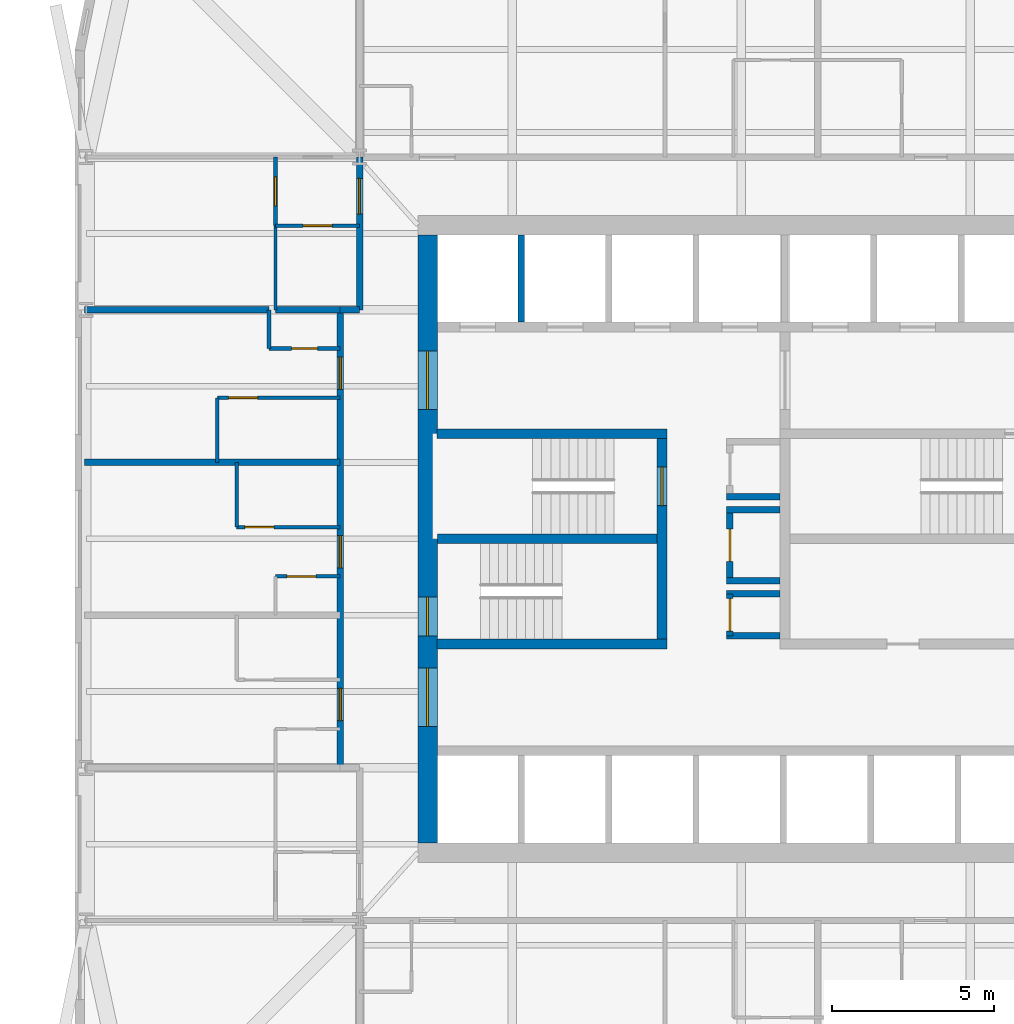
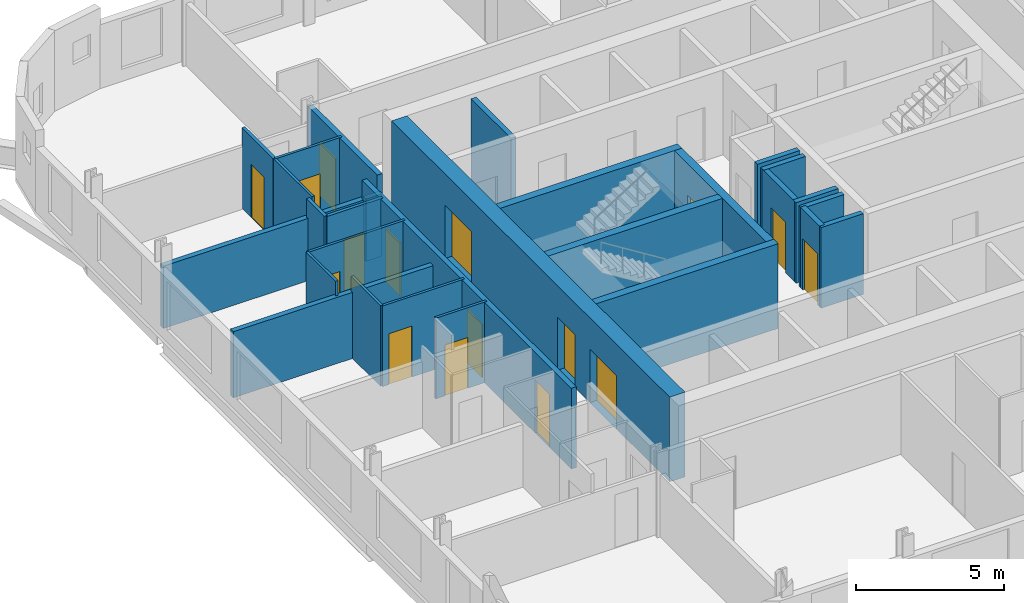
# One storey, part 4 of 9: 29 walls, 16 doors, 16 openings.
"""IFC4 building model written with IfcOpenShell, lengths in metres."""

from ifc_helpers import new_model, si_unit, direction, frame, frame_2d, origin, place, context, subcontext, project, spatial, rectangle, extrude, material, layer, layer_set, type_object, element, fill, save


model = new_model("IFC4")

# Units and contexts
model_context = context("Model", 3, precision=1e-05, world=origin(), true_north=direction((0.0, 1.0)))
body_context = subcontext(model_context, "Body", "Model", "MODEL_VIEW")
ifc_project = project(units=[si_unit("LENGTHUNIT", "METRE"), si_unit("AREAUNIT", "SQUARE_METRE"), si_unit("VOLUMEUNIT", "CUBIC_METRE"), si_unit("PLANEANGLEUNIT", "RADIAN"), si_unit("MASSUNIT", "GRAM", prefix="KILO")], contexts=[model_context])

# Site, building, storey
site_placement = place(None, origin())
site = spatial("IfcSite", under=ifc_project, at=site_placement, CompositionType="ELEMENT")
building_placement = place(site_placement, origin())
building = spatial("IfcBuilding", under=site, at=building_placement, Name="Turquesa Mirador Hotel Tower", CompositionType="ELEMENT")
storey_placement = place(building_placement, frame((0.0, 0.0, 149.39990234375)))
storey = spatial("IfcBuildingStorey", under=building, at=storey_placement, Name="L40", CompositionType="ELEMENT", Elevation=149.39990234375)

# Wall, opening, door
ifc_material_1 = material(Name="Gypsum board on steel studs", Category="steel")
ifc_layer_1 = layer(ifc_material_1, 0.10009765625)
ifc_layer_set_1 = layer_set([ifc_layer_1], Name="BATHROOM WALL 100")
wall_type_1 = type_object("IfcWallType", Name="BATHROOM WALL 100", PredefinedType="PARTITIONING", material=ifc_layer_set_1)
wall_1_placement = place(storey_placement, frame((40.60009765625, 43.840087890625, 0.0), z_axis=(0.0, 0.0, 1.0), x_axis=(1.0, 0.0, 0.0)))
wall_1 = element("IfcWall", 1, at=wall_1_placement, inside=storey, type_object=wall_type_1, Name="Partition L40 002", PredefinedType="PARTITIONING", context=body_context, shape_type="SweptSolid", body=[
    extrude(rectangle(XDim=2.0, YDim=0.10009765625, at=frame_2d((1.0, 0.0))), origin(), (0.0, 0.0, 1.0), 3.330078125),
])
opening_1_placement = place(wall_1_placement, frame((0.35009765625, 0.0, 0.0)))
opening_1 = element("IfcOpeningElement", 2, at=opening_1_placement, cuts=wall_1, Name="Opening D06", PredefinedType="OPENING", context=body_context, shape_type="SweptSolid", body=[
    extrude(rectangle(XDim=0.89990234375, YDim=2.10009765625, at=frame_2d((0.449951171875, 1.050048828125))), frame((0.0, 0.06005859375, 0.0), z_axis=(0.0, -1.0, 0.0), x_axis=(1.0, 0.0, 0.0)), (0.0, 0.0, 1.0), 0.1201171875),
])
ifc_material_2 = material(Name="Laminate door", Category="wood")
door_type_1 = type_object("IfcDoorType", Name="DOOR 900X2100 WC", OperationType="SINGLE_SWING_LEFT", PredefinedType="DOOR", material=ifc_material_2)
door_1_placement = place(opening_1_placement, origin())
door_1 = element("IfcDoor", 3, at=door_1_placement, inside=storey, type_object=door_type_1, Name="Door 4009W", OperationType="SINGLE_SWING_LEFT", OverallHeight=2.10009765625, OverallWidth=0.89990234375, PredefinedType="DOOR", context=body_context, shape_type="SweptSolid", body=[
    extrude(rectangle(XDim=0.89990234375, YDim=2.10009765625, at=frame_2d((0.449951171875, 1.050048828125))), frame((0.0, 0.02490234375, 0.0), z_axis=(0.0, -1.0, 0.0), x_axis=(1.0, 0.0, 0.0)), (0.0, 0.0, 1.0), 0.050048828125),
])
fill(opening_1, door_1)

wall_2_placement = place(storey_placement, frame((39.39990234375, 45.360107421875, 0.0), z_axis=(0.0, 0.0, 1.0), x_axis=(1.0, 0.0, 0.0)))
wall_2 = element("IfcWall", 4, at=wall_2_placement, inside=storey, type_object=wall_type_1, Name="Partition L40 019", PredefinedType="PARTITIONING", context=body_context, shape_type="SweptSolid", body=[
    extrude(rectangle(XDim=3.2001953125, YDim=0.10009765625, at=frame_2d((1.60009765625, 0.0))), origin(), (0.0, 0.0, 1.0), 3.330078125),
])
opening_2_placement = place(wall_2_placement, frame((0.25, 0.0, 0.0)))
opening_2 = element("IfcOpeningElement", 5, at=opening_2_placement, cuts=wall_2, Name="Opening D02", PredefinedType="OPENING", context=body_context, shape_type="SweptSolid", body=[
    extrude(rectangle(XDim=0.89990234375, YDim=2.10009765625, at=frame_2d((0.449951171875, 1.050048828125))), frame((0.0, 0.06005859375, 0.0), z_axis=(0.0, -1.0, 0.0), x_axis=(1.0, 0.0, 0.0)), (0.0, 0.0, 1.0), 0.1201171875),
])
ifc_material_3 = material(Name="Timber veneered door", Category="wood")
door_type_2 = type_object("IfcDoorType", Name="DOOR 900X2100 EN-SUITE", OperationType="SINGLE_SWING_RIGHT", PredefinedType="DOOR", material=ifc_material_3)
door_2_placement = place(opening_2_placement, origin())
door_2 = element("IfcDoor", 6, at=door_2_placement, inside=storey, type_object=door_type_2, Name="Door 4009B", OperationType="SINGLE_SWING_RIGHT", OverallHeight=2.10009765625, OverallWidth=0.89990234375, PredefinedType="DOOR", context=body_context, shape_type="SweptSolid", body=[
    extrude(rectangle(XDim=0.89990234375, YDim=2.10009765625, at=frame_2d((0.449951171875, 1.050048828125))), frame((0.0, 0.02490234375, 0.0), z_axis=(0.0, -1.0, 0.0), x_axis=(1.0, 0.0, 0.0)), (0.0, 0.0, 1.0), 0.050048828125),
])
fill(opening_2, door_2)

wall_3_placement = place(storey_placement, frame((38.800048828125, 49.360107421875, 0.0), z_axis=(0.0, 0.0, 1.0), x_axis=(1.0, 0.0, 0.0)))
wall_3 = element("IfcWall", 7, at=wall_3_placement, inside=storey, type_object=wall_type_1, Name="Partition L40 029", PredefinedType="PARTITIONING", context=body_context, shape_type="SweptSolid", body=[
    extrude(rectangle(XDim=3.800048828125, YDim=0.10009765625, at=frame_2d((1.89990234375, 0.0))), origin(), (0.0, 0.0, 1.0), 3.330078125),
])
opening_3_placement = place(wall_3_placement, frame((0.35009765625, 0.0, 0.0)))
opening_3 = element("IfcOpeningElement", 8, at=opening_3_placement, cuts=wall_3, Name="Opening D02", PredefinedType="OPENING", context=body_context, shape_type="SweptSolid", body=[
    extrude(rectangle(XDim=0.89990234375, YDim=2.10009765625, at=frame_2d((0.449951171875, 1.050048828125))), frame((0.0, 0.06005859375, 0.0), z_axis=(0.0, -1.0, 0.0), x_axis=(1.0, 0.0, 0.0)), (0.0, 0.0, 1.0), 0.1201171875),
])
door_3_placement = place(opening_3_placement, origin())
door_3 = element("IfcDoor", 9, at=door_3_placement, inside=storey, type_object=door_type_2, Name="Door 4010B", OperationType="SINGLE_SWING_RIGHT", OverallHeight=2.10009765625, OverallWidth=0.89990234375, PredefinedType="DOOR", context=body_context, shape_type="SweptSolid", body=[
    extrude(rectangle(XDim=0.89990234375, YDim=2.10009765625, at=frame_2d((0.449951171875, 1.050048828125))), frame((0.0, 0.02490234375, 0.0), z_axis=(0.0, -1.0, 0.0), x_axis=(1.0, 0.0, 0.0)), (0.0, 0.0, 1.0), 0.050048828125),
])
fill(opening_3, door_3)

wall_4_placement = place(storey_placement, frame((40.60009765625, 54.679931640625, 0.0), z_axis=(0.0, 0.0, 1.0), x_axis=(1.0, 0.0, 0.0)))
wall_4 = element("IfcWall", 10, at=wall_4_placement, inside=storey, type_object=wall_type_1, Name="Partition L40 037", PredefinedType="PARTITIONING", context=body_context, shape_type="SweptSolid", body=[
    extrude(rectangle(XDim=2.599853515625, YDim=0.10009765625, at=frame_2d((1.2998046875, 0.0))), origin(), (0.0, 0.0, 1.0), 3.330078125),
])
opening_4_placement = place(wall_4_placement, frame((0.85009765625, 0.0, 0.0)))
opening_4 = element("IfcOpeningElement", 11, at=opening_4_placement, cuts=wall_4, Name="Opening D02", PredefinedType="OPENING", context=body_context, shape_type="SweptSolid", body=[
    extrude(rectangle(XDim=0.89990234375, YDim=2.10009765625, at=frame_2d((0.449951171875, 1.050048828125))), frame((0.0, 0.06005859375, 0.0), z_axis=(0.0, -1.0, 0.0), x_axis=(1.0, 0.0, 0.0)), (0.0, 0.0, 1.0), 0.1201171875),
])
door_4_placement = place(opening_4_placement, origin())
door_4 = element("IfcDoor", 12, at=door_4_placement, inside=storey, type_object=door_type_2, Name="Door 4012B", OperationType="SINGLE_SWING_RIGHT", OverallHeight=2.10009765625, OverallWidth=0.89990234375, PredefinedType="DOOR", context=body_context, shape_type="SweptSolid", body=[
    extrude(rectangle(XDim=0.89990234375, YDim=2.10009765625, at=frame_2d((0.449951171875, 1.050048828125))), frame((0.0, 0.02490234375, 0.0), z_axis=(0.0, -1.0, 0.0), x_axis=(1.0, 0.0, 0.0)), (0.0, 0.0, 1.0), 0.050048828125),
])
fill(opening_4, door_4)

# Walls
wall_5_placement = place(storey_placement, frame((40.60009765625, 52.080078125, 0.0), z_axis=(0.0, 0.0, 1.0), x_axis=(0.0, 1.0, 0.0)))
element("IfcWall", 13, at=wall_5_placement, inside=storey, type_object=wall_type_1, Name="Partition L40 050", PredefinedType="PARTITIONING", context=body_context, shape_type="SweptSolid", body=[
    extrude(rectangle(XDim=2.599853515625, YDim=0.10009765625, at=frame_2d((1.2998046875, 0.0))), origin(), (0.0, 0.0, 1.0), 3.330078125),
])
for number, where, z_axis, x_axis, name in (
    (14, (39.39990234375, 45.360107421875, 0.0), (0.0, 0.0, 1.0), (0.0, 1.0, 0.0), "Partition L40 055"),
    (15, (38.800048828125, 47.360107421875, 0.0), (0.0, 0.0, 1.0), (0.0, 1.0, 0.0), "Partition L40 056"),
):
    element("IfcWall", number, at=place(storey_placement, frame(where, z_axis=z_axis, x_axis=x_axis)), inside=storey, type_object=wall_type_1, Name=name, PredefinedType="PARTITIONING", context=body_context, shape_type="SweptSolid", body=[
        extrude(rectangle(XDim=2.0, YDim=0.10009765625, at=frame_2d((1.0, 0.0))), origin(), (0.0, 0.0, 1.0), 3.330078125),
    ])
ifc_material_4 = material(Name="Concrete C50/60", Category="concrete")
ifc_layer_2 = layer(ifc_material_4, 0.300048828125)
ifc_layer_set_2 = layer_set([ifc_layer_2], Name="CORE INNER WALL 300")
wall_type_2 = type_object("IfcWallType", Name="CORE INNER WALL 300", PredefinedType="SHEAR", material=ifc_layer_set_2)
for number, where, z_axis, x_axis, name in (
    (16, (45.60009765625, 48.25, 0.0), (0.0, 0.0, 1.0), (1.0, 0.0, 0.0), "Core wall MN-W"),
    (17, (45.60009765625, 41.75, 0.0), (0.0, 0.0, 1.0), (1.0, 0.0, 0.0), "Core wall MS-W"),
):
    element("IfcWall", number, at=place(storey_placement, frame(where, z_axis=z_axis, x_axis=x_axis)), inside=storey, type_object=wall_type_2, Name=name, PredefinedType="SHEAR", context=body_context, shape_type="SweptSolid", body=[
        extrude(rectangle(XDim=7.099853515625, YDim=0.300048828125, at=frame_2d((3.5498046875, 0.0))), origin(), (0.0, 0.0, 1.0), 3.5),
    ])

# Wall, opening, door
wall_6_placement = place(storey_placement, frame((52.550048828125, 41.89990234375, 0.0), z_axis=(0.0, 0.0, 1.0), x_axis=(0.0, 1.0, 0.0)))
wall_6 = element("IfcWall", 18, at=wall_6_placement, inside=storey, type_object=wall_type_2, Name="Core wall PW", PredefinedType="SHEAR", context=body_context, shape_type="SweptSolid", body=[
    extrude(rectangle(XDim=6.2001953125, YDim=0.300048828125, at=frame_2d((3.10009765625, 0.0))), origin(), (0.0, 0.0, 1.0), 3.5),
])
opening_5_placement = place(wall_6_placement, frame((4.125, 0.0, 0.0)))
opening_5 = element("IfcOpeningElement", 19, at=opening_5_placement, cuts=wall_6, Name="Opening D03", PredefinedType="OPENING", context=body_context, shape_type="SweptSolid", body=[
    extrude(rectangle(XDim=1.199951171875, YDim=2.199951171875, at=frame_2d((0.60009765625, 1.10009765625))), frame((0.0, 0.159912109375, 0.0), z_axis=(0.0, -1.0, 0.0), x_axis=(1.0, 0.0, 0.0)), (0.0, 0.0, 1.0), 0.320068359375),
])
ifc_material_5 = material(Name="Steel fire door", Category="steel")
door_type_3 = type_object("IfcDoorType", Name="DOOR 1200X2200 STAIR", OperationType="SINGLE_SWING_LEFT", PredefinedType="DOOR", material=ifc_material_5)
door_5_placement = place(opening_5_placement, origin())
door_5 = element("IfcDoor", 20, at=door_5_placement, inside=storey, type_object=door_type_3, Name="Stair ST1 door", OperationType="SINGLE_SWING_LEFT", OverallHeight=2.199951171875, OverallWidth=1.199951171875, PredefinedType="DOOR", context=body_context, shape_type="SweptSolid", body=[
    extrude(rectangle(XDim=1.199951171875, YDim=2.199951171875, at=frame_2d((0.60009765625, 1.10009765625))), frame((0.0, 0.02490234375, 0.0), z_axis=(0.0, -1.0, 0.0), x_axis=(1.0, 0.0, 0.0)), (0.0, 0.0, 1.0), 0.050048828125),
])
fill(opening_5, door_5)

# Wall
wall_7_placement = place(storey_placement, frame((45.60009765625, 45.0, 0.0), z_axis=(0.0, 0.0, 1.0), x_axis=(1.0, 0.0, 0.0)))
element("IfcWall", 21, at=wall_7_placement, inside=storey, type_object=wall_type_2, Name="Core wall M0-W", PredefinedType="SHEAR", context=body_context, shape_type="SweptSolid", body=[
    extrude(rectangle(XDim=6.7998046875, YDim=0.300048828125, at=frame_2d((3.39990234375, 0.0))), origin(), (0.0, 0.0, 1.0), 3.5),
])

# Wall, openings, doors
ifc_material_6 = material(Name="Concrete C50/60", Category="concrete")
ifc_layer_3 = layer(ifc_material_6, 0.60009765625)
ifc_layer_set_3 = layer_set([ifc_layer_3], Name="CORE WALL 600")
wall_type_3 = type_object("IfcWallType", Name="CORE WALL 600", PredefinedType="SHEAR", material=ifc_layer_set_3)
wall_8_placement = place(storey_placement, frame((45.300048828125, 35.60009765625, 0.0), z_axis=(0.0, 0.0, 1.0), x_axis=(0.0, 1.0, 0.0)))
wall_8 = element("IfcWall", 22, at=wall_8_placement, inside=storey, type_object=wall_type_3, Name="Core wall W", PredefinedType="SHEAR", context=body_context, shape_type="SweptSolid", body=[
    extrude(rectangle(XDim=18.7998046875, YDim=0.60009765625, at=frame_2d((9.39990234375, 0.0))), origin(), (0.0, 0.0, 1.0), 3.5),
])
opening_6_placement = place(wall_8_placement, frame((13.39990234375, 0.0, 0.0)))
opening_6 = element("IfcOpeningElement", 23, at=opening_6_placement, cuts=wall_8, Name="Opening D04", PredefinedType="OPENING", context=body_context, shape_type="SweptSolid", body=[
    extrude(rectangle(XDim=1.800048828125, YDim=2.199951171875, at=frame_2d((0.89990234375, 1.10009765625))), frame((0.0, 0.31005859375, 0.0), z_axis=(0.0, -1.0, 0.0), x_axis=(1.0, 0.0, 0.0)), (0.0, 0.0, 1.0), 0.6201171875),
])
opening_7_placement = place(wall_8_placement, frame((3.60009765625, 0.0, 0.0)))
opening_7 = element("IfcOpeningElement", 24, at=opening_7_placement, cuts=wall_8, Name="Opening D04", PredefinedType="OPENING", context=body_context, shape_type="SweptSolid", body=[
    extrude(rectangle(XDim=1.800048828125, YDim=2.199951171875, at=frame_2d((0.89990234375, 1.10009765625))), frame((0.0, 0.31005859375, 0.0), z_axis=(0.0, -1.0, 0.0), x_axis=(1.0, 0.0, 0.0)), (0.0, 0.0, 1.0), 0.6201171875),
])
opening_8_placement = place(wall_8_placement, frame((6.39990234375, 0.0, 0.0)))
opening_8 = element("IfcOpeningElement", 25, at=opening_8_placement, cuts=wall_8, Name="Opening D03", PredefinedType="OPENING", context=body_context, shape_type="SweptSolid", body=[
    extrude(rectangle(XDim=1.199951171875, YDim=2.199951171875, at=frame_2d((0.60009765625, 1.10009765625))), frame((0.0, 0.31005859375, 0.0), z_axis=(0.0, -1.0, 0.0), x_axis=(1.0, 0.0, 0.0)), (0.0, 0.0, 1.0), 0.6201171875),
])
door_6_placement = place(opening_8_placement, origin())
door_6 = element("IfcDoor", 26, at=door_6_placement, inside=storey, type_object=door_type_3, Name="Stair ST2 door", OperationType="SINGLE_SWING_LEFT", OverallHeight=2.199951171875, OverallWidth=1.199951171875, PredefinedType="DOOR", context=body_context, shape_type="SweptSolid", body=[
    extrude(rectangle(XDim=1.199951171875, YDim=2.199951171875, at=frame_2d((0.60009765625, 1.10009765625))), frame((0.0, 0.02490234375, 0.0), z_axis=(0.0, -1.0, 0.0), x_axis=(1.0, 0.0, 0.0)), (0.0, 0.0, 1.0), 0.050048828125),
])
fill(opening_8, door_6)
ifc_material_7 = material(Name="Steel fire door pair", Category="steel")
door_type_4 = type_object("IfcDoorType", Name="DOOR 1800X2200 PAIR", OperationType="DOUBLE_DOOR_SINGLE_SWING", PredefinedType="DOOR", material=ifc_material_7)
door_7_placement = place(opening_6_placement, origin())
door_7 = element("IfcDoor", 27, at=door_7_placement, inside=storey, type_object=door_type_4, Name="North lift lobby door", OperationType="DOUBLE_DOOR_SINGLE_SWING", OverallHeight=2.199951171875, OverallWidth=1.800048828125, PredefinedType="DOOR", context=body_context, shape_type="SweptSolid", body=[
    extrude(rectangle(XDim=1.800048828125, YDim=2.199951171875, at=frame_2d((0.89990234375, 1.10009765625))), frame((0.0, 0.02490234375, 0.0), z_axis=(0.0, -1.0, 0.0), x_axis=(1.0, 0.0, 0.0)), (0.0, 0.0, 1.0), 0.050048828125),
])
fill(opening_6, door_7)
door_8_placement = place(opening_7_placement, origin())
door_8 = element("IfcDoor", 28, at=door_8_placement, inside=storey, type_object=door_type_4, Name="South lift lobby door", OperationType="DOUBLE_DOOR_SINGLE_SWING", OverallHeight=2.199951171875, OverallWidth=1.800048828125, PredefinedType="DOOR", context=body_context, shape_type="SweptSolid", body=[
    extrude(rectangle(XDim=1.800048828125, YDim=2.199951171875, at=frame_2d((0.89990234375, 1.10009765625))), frame((0.0, 0.02490234375, 0.0), z_axis=(0.0, -1.0, 0.0), x_axis=(1.0, 0.0, 0.0)), (0.0, 0.0, 1.0), 0.050048828125),
])
fill(opening_7, door_8)

# Wall
ifc_material_8 = material(Name="Fire-rated gypsum board on steel studs", Category="steel")
ifc_layer_4 = layer(ifc_material_8, 0.199951171875)
ifc_layer_set_4 = layer_set([ifc_layer_4], Name="CORRIDOR WALL 200")
wall_type_4 = type_object("IfcWallType", Name="CORRIDOR WALL 200", PredefinedType="PARTITIONING", material=ifc_layer_set_4)
wall_9_placement = place(storey_placement, frame((42.60009765625, 52.080078125, 0.0), z_axis=(0.0, 0.0, 1.0), x_axis=(1.0, 0.0, 0.0)))
element("IfcWall", 29, at=wall_9_placement, inside=storey, type_object=wall_type_4, Name="Partition L40 032", PredefinedType="PARTITIONING", context=body_context, shape_type="SweptSolid", body=[
    extrude(rectangle(XDim=0.599853515625, YDim=0.199951171875, at=frame_2d((0.2998046875, 0.0))), origin(), (0.0, 0.0, 1.0), 2.5732421875),
])

# Wall, opening, door
wall_10_placement = place(storey_placement, frame((43.199951171875, 52.080078125, 0.0), z_axis=(0.0, 0.0, 1.0), x_axis=(0.0, 1.0, 0.0)))
wall_10 = element("IfcWall", 30, at=wall_10_placement, inside=storey, type_object=wall_type_4, Name="Partition L40 044", PredefinedType="PARTITIONING", context=body_context, shape_type="SweptSolid", body=[
    extrude(rectangle(XDim=4.719970703125, YDim=0.199951171875, at=frame_2d((2.35986328125, 0.0))), origin(), (0.0, 0.0, 1.0), 3.330078125),
])
opening_9_placement = place(wall_10_placement, frame((2.9599609375, 0.0, 0.0)))
opening_9 = element("IfcOpeningElement", 31, at=opening_9_placement, cuts=wall_10, Name="Opening D15", PredefinedType="OPENING", context=body_context, shape_type="SweptSolid", body=[
    extrude(rectangle(XDim=1.10009765625, YDim=2.199951171875, at=frame_2d((0.550048828125, 1.10009765625))), frame((0.0, 0.10986328125, 0.0), z_axis=(0.0, -1.0, 0.0), x_axis=(1.0, 0.0, 0.0)), (0.0, 0.0, 1.0), 0.219970703125),
])
ifc_material_9 = material(Name="Timber veneered fire door", Category="wood")
door_type_5 = type_object("IfcDoorType", Name="DOOR 1100X2200 SUITE ENTRY", OperationType="SINGLE_SWING_LEFT", PredefinedType="DOOR", material=ifc_material_9)
door_9_placement = place(opening_9_placement, origin())
door_9 = element("IfcDoor", 32, at=door_9_placement, inside=storey, type_object=door_type_5, Name="Door 4012H", OperationType="SINGLE_SWING_LEFT", OverallHeight=2.199951171875, OverallWidth=1.10009765625, PredefinedType="DOOR", context=body_context, shape_type="SweptSolid", body=[
    extrude(rectangle(XDim=1.10009765625, YDim=2.199951171875, at=frame_2d((0.550048828125, 1.10009765625))), frame((0.0, 0.02490234375, 0.0), z_axis=(0.0, -1.0, 0.0), x_axis=(1.0, 0.0, 0.0)), (0.0, 0.0, 1.0), 0.050048828125),
])
fill(opening_9, door_9)

# Wall, openings, doors
wall_11_placement = place(storey_placement, frame((42.60009765625, 37.919921875, 0.0), z_axis=(0.0, 0.0, 1.0), x_axis=(0.0, 1.0, 0.0)))
wall_11 = element("IfcWall", 33, at=wall_11_placement, inside=storey, type_object=wall_type_4, Name="Partition L40 047", PredefinedType="PARTITIONING", context=body_context, shape_type="SweptSolid", body=[
    extrude(rectangle(XDim=14.16015625, YDim=0.199951171875, at=frame_2d((7.080078125, 0.0))), origin(), (0.0, 0.0, 1.0), 3.330078125),
])
opening_10_placement = place(wall_11_placement, frame((1.4599609375, 0.0, 0.0)))
opening_10 = element("IfcOpeningElement", 34, at=opening_10_placement, cuts=wall_11, Name="Opening D01", PredefinedType="OPENING", context=body_context, shape_type="SweptSolid", body=[
    extrude(rectangle(XDim=1.0, YDim=2.199951171875, at=frame_2d((0.5, 1.10009765625))), frame((0.0, 0.10986328125, 0.0), z_axis=(0.0, -1.0, 0.0), x_axis=(1.0, 0.0, 0.0)), (0.0, 0.0, 1.0), 0.219970703125),
])
opening_11_placement = place(wall_11_placement, frame((6.179931640625, 0.0, 0.0)))
opening_11 = element("IfcOpeningElement", 35, at=opening_11_placement, cuts=wall_11, Name="Opening D01", PredefinedType="OPENING", context=body_context, shape_type="SweptSolid", body=[
    extrude(rectangle(XDim=1.0, YDim=2.199951171875, at=frame_2d((0.5, 1.10009765625))), frame((0.0, 0.10986328125, 0.0), z_axis=(0.0, -1.0, 0.0), x_axis=(1.0, 0.0, 0.0)), (0.0, 0.0, 1.0), 0.219970703125),
])
opening_12_placement = place(wall_11_placement, frame((11.699951171875, 0.0, 0.0)))
opening_12 = element("IfcOpeningElement", 36, at=opening_12_placement, cuts=wall_11, Name="Opening D01", PredefinedType="OPENING", context=body_context, shape_type="SweptSolid", body=[
    extrude(rectangle(XDim=1.0, YDim=2.199951171875, at=frame_2d((0.5, 1.10009765625))), frame((0.0, 0.10986328125, 0.0), z_axis=(0.0, -1.0, 0.0), x_axis=(1.0, 0.0, 0.0)), (0.0, 0.0, 1.0), 0.219970703125),
])
ifc_material_10 = material(Name="Timber veneered fire door", Category="wood")
door_type_6 = type_object("IfcDoorType", Name="DOOR 1000X2200 GUEST ENTRY", OperationType="SINGLE_SWING_LEFT", PredefinedType="DOOR", material=ifc_material_10)
door_10_placement = place(opening_10_placement, origin())
door_10 = element("IfcDoor", 37, at=door_10_placement, inside=storey, type_object=door_type_6, Name="Door 4008", OperationType="SINGLE_SWING_LEFT", OverallHeight=2.199951171875, OverallWidth=1.0, PredefinedType="DOOR", context=body_context, shape_type="SweptSolid", body=[
    extrude(rectangle(XDim=1.0, YDim=2.199951171875, at=frame_2d((0.5, 1.10009765625))), frame((0.0, 0.02490234375, 0.0), z_axis=(0.0, -1.0, 0.0), x_axis=(1.0, 0.0, 0.0)), (0.0, 0.0, 1.0), 0.050048828125),
])
fill(opening_10, door_10)
door_11_placement = place(opening_11_placement, origin())
door_11 = element("IfcDoor", 38, at=door_11_placement, inside=storey, type_object=door_type_6, Name="Door 4009", OperationType="SINGLE_SWING_LEFT", OverallHeight=2.199951171875, OverallWidth=1.0, PredefinedType="DOOR", context=body_context, shape_type="SweptSolid", body=[
    extrude(rectangle(XDim=1.0, YDim=2.199951171875, at=frame_2d((0.5, 1.10009765625))), frame((0.0, 0.02490234375, 0.0), z_axis=(0.0, -1.0, 0.0), x_axis=(1.0, 0.0, 0.0)), (0.0, 0.0, 1.0), 0.050048828125),
])
fill(opening_11, door_11)
door_12_placement = place(opening_12_placement, origin())
door_12 = element("IfcDoor", 39, at=door_12_placement, inside=storey, type_object=door_type_6, Name="Door 4010", OperationType="SINGLE_SWING_LEFT", OverallHeight=2.199951171875, OverallWidth=1.0, PredefinedType="DOOR", context=body_context, shape_type="SweptSolid", body=[
    extrude(rectangle(XDim=1.0, YDim=2.199951171875, at=frame_2d((0.5, 1.10009765625))), frame((0.0, 0.02490234375, 0.0), z_axis=(0.0, -1.0, 0.0), x_axis=(1.0, 0.0, 0.0)), (0.0, 0.0, 1.0), 0.050048828125),
])
fill(opening_12, door_12)

# Wall, opening, door
ifc_material_11 = material(Name="Fire-rated gypsum board on steel studs", Category="steel")
ifc_layer_5 = layer(ifc_material_11, 0.199951171875)
ifc_layer_set_5 = layer_set([ifc_layer_5], Name="FIRE PARTITION 200")
wall_type_5 = type_object("IfcWallType", Name="FIRE PARTITION 200", PredefinedType="PARTITIONING", material=ifc_layer_set_5)
wall_12_placement = place(storey_placement, frame((54.64990234375, 42.0, 0.0), z_axis=(0.0, 0.0, 1.0), x_axis=(0.0, 1.0, 0.0)))
wall_12 = element("IfcWall", 40, at=wall_12_placement, inside=storey, type_object=wall_type_5, Name="Partition L40 CM W", PredefinedType="PARTITIONING", context=body_context, shape_type="SweptSolid", body=[
    extrude(rectangle(XDim=1.300048828125, YDim=0.199951171875, at=frame_2d((0.64990234375, 0.0))), origin(), (0.0, 0.0, 1.0), 3.330078125),
])
opening_13_placement = place(wall_12_placement, frame((0.14990234375, 0.0, 0.0)))
opening_13 = element("IfcOpeningElement", 41, at=opening_13_placement, cuts=wall_12, Name="Opening D05", PredefinedType="OPENING", context=body_context, shape_type="SweptSolid", body=[
    extrude(rectangle(XDim=1.0, YDim=2.10009765625, at=frame_2d((0.5, 1.050048828125))), frame((0.0, 0.10986328125, 0.0), z_axis=(0.0, -1.0, 0.0), x_axis=(1.0, 0.0, 0.0)), (0.0, 0.0, 1.0), 0.219970703125),
])
ifc_material_12 = material(Name="Steel fire door", Category="steel")
door_type_7 = type_object("IfcDoorType", Name="DOOR 1000X2100 SERVICE", OperationType="SINGLE_SWING_LEFT", PredefinedType="DOOR", material=ifc_material_12)
door_13_placement = place(opening_13_placement, origin())
door_13 = element("IfcDoor", 42, at=door_13_placement, inside=storey, type_object=door_type_7, Name="Comms room door", OperationType="SINGLE_SWING_LEFT", OverallHeight=2.10009765625, OverallWidth=1.0, PredefinedType="DOOR", context=body_context, shape_type="SweptSolid", body=[
    extrude(rectangle(XDim=1.0, YDim=2.10009765625, at=frame_2d((0.5, 1.050048828125))), frame((0.0, 0.02490234375, 0.0), z_axis=(0.0, -1.0, 0.0), x_axis=(1.0, 0.0, 0.0)), (0.0, 0.0, 1.0), 0.050048828125),
])
fill(opening_13, door_13)

# Walls
for number, where, z_axis, x_axis, name in (
    (43, (54.550048828125, 42.0, 0.0), (0.0, 0.0, 1.0), (1.0, 0.0, 0.0), "Partition L40 CM S"),
    (44, (54.550048828125, 43.300048828125, 0.0), (0.0, 0.0, 1.0), (1.0, 0.0, 0.0), "Partition L40 CM N"),
):
    element("IfcWall", number, at=place(storey_placement, frame(where, z_axis=z_axis, x_axis=x_axis)), inside=storey, type_object=wall_type_5, Name=name, PredefinedType="PARTITIONING", context=body_context, shape_type="SweptSolid", body=[
        extrude(rectangle(XDim=1.64990234375, YDim=0.199951171875, at=frame_2d((0.824951171875, 0.0))), origin(), (0.0, 0.0, 1.0), 3.330078125),
    ])

# Wall, opening, door
wall_13_placement = place(storey_placement, frame((54.64990234375, 43.699951171875, 0.0), z_axis=(0.0, 0.0, 1.0), x_axis=(0.0, 1.0, 0.0)))
wall_13 = element("IfcWall", 45, at=wall_13_placement, inside=storey, type_object=wall_type_5, Name="Partition L40 VD W", PredefinedType="PARTITIONING", context=body_context, shape_type="SweptSolid", body=[
    extrude(rectangle(XDim=2.199951171875, YDim=0.199951171875, at=frame_2d((1.10009765625, 0.0))), origin(), (0.0, 0.0, 1.0), 3.330078125),
])
opening_14_placement = place(wall_13_placement, frame((0.60009765625, 0.0, 0.0)))
opening_14 = element("IfcOpeningElement", 46, at=opening_14_placement, cuts=wall_13, Name="Opening D05", PredefinedType="OPENING", context=body_context, shape_type="SweptSolid", body=[
    extrude(rectangle(XDim=1.0, YDim=2.10009765625, at=frame_2d((0.5, 1.050048828125))), frame((0.0, 0.10986328125, 0.0), z_axis=(0.0, -1.0, 0.0), x_axis=(1.0, 0.0, 0.0)), (0.0, 0.0, 1.0), 0.219970703125),
])
door_14_placement = place(opening_14_placement, origin())
door_14 = element("IfcDoor", 47, at=door_14_placement, inside=storey, type_object=door_type_7, Name="Ice and vending room door", OperationType="SINGLE_SWING_LEFT", OverallHeight=2.10009765625, OverallWidth=1.0, PredefinedType="DOOR", context=body_context, shape_type="SweptSolid", body=[
    extrude(rectangle(XDim=1.0, YDim=2.10009765625, at=frame_2d((0.5, 1.050048828125))), frame((0.0, 0.02490234375, 0.0), z_axis=(0.0, -1.0, 0.0), x_axis=(1.0, 0.0, 0.0)), (0.0, 0.0, 1.0), 0.050048828125),
])
fill(opening_14, door_14)

# Walls
for number, where, z_axis, x_axis, name in (
    (48, (54.550048828125, 43.699951171875, 0.0), (0.0, 0.0, 1.0), (1.0, 0.0, 0.0), "Partition L40 VD S"),
    (49, (54.550048828125, 45.89990234375, 0.0), (0.0, 0.0, 1.0), (1.0, 0.0, 0.0), "Partition L40 VD N"),
    (50, (54.550048828125, 46.300048828125, 0.0), (0.0, 0.0, 1.0), (1.0, 0.0, 0.0), "Partition L40 CL S"),
):
    element("IfcWall", number, at=place(storey_placement, frame(where, z_axis=z_axis, x_axis=x_axis)), inside=storey, type_object=wall_type_5, Name=name, PredefinedType="PARTITIONING", context=body_context, shape_type="SweptSolid", body=[
        extrude(rectangle(XDim=1.64990234375, YDim=0.199951171875, at=frame_2d((0.824951171875, 0.0))), origin(), (0.0, 0.0, 1.0), 3.330078125),
    ])
ifc_material_13 = material(Name="Fire-rated gypsum shaft wall on steel studs", Category="steel")
ifc_layer_6 = layer(ifc_material_13, 0.199951171875)
ifc_layer_set_6 = layer_set([ifc_layer_6], Name="LIFT SHAFT DIVIDER 200")
wall_type_6 = type_object("IfcWallType", Name="LIFT SHAFT DIVIDER 200", PredefinedType="PARTITIONING", material=ifc_layer_set_6)
wall_14_placement = place(storey_placement, frame((48.199951171875, 51.699951171875, 0.0), z_axis=(0.0, 0.0, 1.0), x_axis=(0.0, 1.0, 0.0)))
element("IfcWall", 51, at=wall_14_placement, inside=storey, type_object=wall_type_6, Name="Lift shaft divider", PredefinedType="PARTITIONING", context=body_context, shape_type="SweptSolid", body=[
    extrude(rectangle(XDim=2.699951171875, YDim=0.199951171875, at=frame_2d((1.35009765625, 0.0))), origin(), (0.0, 0.0, 1.0), 3.330078125),
])
ifc_material_14 = material(Name="Fire-rated gypsum board on steel studs", Category="steel")
ifc_layer_7 = layer(ifc_material_14, 0.199951171875)
ifc_layer_set_7 = layer_set([ifc_layer_7], Name="PARTY WALL 200")
wall_type_7 = type_object("IfcWallType", Name="PARTY WALL 200", PredefinedType="PARTITIONING", material=ifc_layer_set_7)
wall_15_placement = place(storey_placement, frame((34.699951171875, 47.360107421875, 0.0), z_axis=(0.0, 0.0, 1.0), x_axis=(1.0, 0.0, 0.0)))
element("IfcWall", 52, at=wall_15_placement, inside=storey, type_object=wall_type_7, Name="Partition L40 027", PredefinedType="PARTITIONING", context=body_context, shape_type="SweptSolid", body=[
    extrude(rectangle(XDim=7.900146484375, YDim=0.199951171875, at=frame_2d((3.9501953125, 0.0))), origin(), (0.0, 0.0, 1.0), 2.730712890625),
])
wall_16_placement = place(storey_placement, frame((34.699951171875, 52.080078125, 0.0), z_axis=(0.0, 0.0, 1.0), x_axis=(1.0, 0.0, 0.0)))
element("IfcWall", 53, at=wall_16_placement, inside=storey, type_object=wall_type_7, Name="Partition L40 033", PredefinedType="PARTITIONING", context=body_context, shape_type="SweptSolid", body=[
    extrude(rectangle(XDim=5.699951171875, YDim=0.199951171875, at=frame_2d((2.85009765625, 0.0))), origin(), (0.0, 0.0, 1.0), 2.5732421875),
])
wall_17_placement = place(storey_placement, frame((40.60009765625, 52.080078125, 0.0), z_axis=(0.0, 0.0, 1.0), x_axis=(1.0, 0.0, 0.0)))
element("IfcWall", 54, at=wall_17_placement, inside=storey, type_object=wall_type_7, Name="Partition L40 034", PredefinedType="PARTITIONING", context=body_context, shape_type="SweptSolid", body=[
    extrude(rectangle(XDim=2.0, YDim=0.199951171875, at=frame_2d((1.0, 0.0))), origin(), (0.0, 0.0, 1.0), 2.5732421875),
])

# Wall, opening, door
ifc_material_15 = material(Name="Acoustic gypsum board on steel studs", Category="steel")
ifc_layer_8 = layer(ifc_material_15, 0.125)
ifc_layer_set_8 = layer_set([ifc_layer_8], Name="SUITE PARTITION 125")
wall_type_8 = type_object("IfcWallType", Name="SUITE PARTITION 125", PredefinedType="PARTITIONING", material=ifc_layer_set_8)
wall_18_placement = place(storey_placement, frame((40.39990234375, 50.8798828125, 0.0), z_axis=(0.0, 0.0, 1.0), x_axis=(1.0, 0.0, 0.0)))
wall_18 = element("IfcWall", 55, at=wall_18_placement, inside=storey, type_object=wall_type_8, Name="Partition L40 031", PredefinedType="PARTITIONING", context=body_context, shape_type="SweptSolid", body=[
    extrude(rectangle(XDim=2.2001953125, YDim=0.125, at=frame_2d((1.10009765625, 0.0))), origin(), (0.0, 0.0, 1.0), 3.330078125),
])
opening_15_placement = place(wall_18_placement, frame((0.699951171875, 0.0, 0.0)))
opening_15 = element("IfcOpeningElement", 56, at=opening_15_placement, cuts=wall_18, Name="Opening D20", PredefinedType="OPENING", context=body_context, shape_type="SweptSolid", body=[
    extrude(rectangle(XDim=0.800048828125, YDim=2.10009765625, at=frame_2d((0.39990234375, 1.050048828125))), frame((0.0, 0.072509765625, 0.0), z_axis=(0.0, -1.0, 0.0), x_axis=(1.0, 0.0, 0.0)), (0.0, 0.0, 1.0), 0.14501953125),
])
ifc_material_16 = material(Name="Timber veneered sliding door", Category="wood")
door_type_8 = type_object("IfcDoorType", Name="DOOR 800X2100 WARDROBE", OperationType="SLIDING_TO_LEFT", PredefinedType="DOOR", material=ifc_material_16)
door_15_placement = place(opening_15_placement, origin())
door_15 = element("IfcDoor", 57, at=door_15_placement, inside=storey, type_object=door_type_8, Name="Door 4010W", OperationType="SLIDING_TO_LEFT", OverallHeight=2.10009765625, OverallWidth=0.800048828125, PredefinedType="DOOR", context=body_context, shape_type="SweptSolid", body=[
    extrude(rectangle(XDim=0.800048828125, YDim=2.10009765625, at=frame_2d((0.39990234375, 1.050048828125))), frame((0.0, 0.02490234375, 0.0), z_axis=(0.0, -1.0, 0.0), x_axis=(1.0, 0.0, 0.0)), (0.0, 0.0, 1.0), 0.050048828125),
])
fill(opening_15, door_15)

wall_19_placement = place(storey_placement, frame((40.60009765625, 54.679931640625, 0.0), z_axis=(0.0, 0.0, 1.0), x_axis=(0.0, 1.0, 0.0)))
wall_19 = element("IfcWall", 58, at=wall_19_placement, inside=storey, type_object=wall_type_8, Name="Partition L40 052", PredefinedType="PARTITIONING", context=body_context, shape_type="SweptSolid", body=[
    extrude(rectangle(XDim=2.1201171875, YDim=0.125, at=frame_2d((1.06005859375, 0.0))), origin(), (0.0, 0.0, 1.0), 3.330078125),
])
opening_16_placement = place(wall_19_placement, frame((0.610107421875, 0.0, 0.0)))
opening_16 = element("IfcOpeningElement", 59, at=opening_16_placement, cuts=wall_19, Name="Opening D17", PredefinedType="OPENING", context=body_context, shape_type="SweptSolid", body=[
    extrude(rectangle(XDim=0.89990234375, YDim=2.199951171875, at=frame_2d((0.449951171875, 1.10009765625))), frame((0.0, 0.072509765625, 0.0), z_axis=(0.0, -1.0, 0.0), x_axis=(1.0, 0.0, 0.0)), (0.0, 0.0, 1.0), 0.14501953125),
])
ifc_material_17 = material(Name="Timber veneered door", Category="wood")
door_type_9 = type_object("IfcDoorType", Name="DOOR 900X2200 SUITE INTERNAL", OperationType="SINGLE_SWING_LEFT", PredefinedType="DOOR", material=ifc_material_17)
door_16_placement = place(opening_16_placement, origin())
door_16 = element("IfcDoor", 60, at=door_16_placement, inside=storey, type_object=door_type_9, Name="Door 4012R", OperationType="SINGLE_SWING_LEFT", OverallHeight=2.199951171875, OverallWidth=0.89990234375, PredefinedType="DOOR", context=body_context, shape_type="SweptSolid", body=[
    extrude(rectangle(XDim=0.89990234375, YDim=2.199951171875, at=frame_2d((0.449951171875, 1.10009765625))), frame((0.0, 0.02490234375, 0.0), z_axis=(0.0, -1.0, 0.0), x_axis=(1.0, 0.0, 0.0)), (0.0, 0.0, 1.0), 0.050048828125),
])
fill(opening_16, door_16)

# Wall
wall_20_placement = place(storey_placement, frame((40.39990234375, 50.8798828125, 0.0), z_axis=(0.0, 0.0, 1.0), x_axis=(0.0, 1.0, 0.0)))
element("IfcWall", 61, at=wall_20_placement, inside=storey, type_object=wall_type_8, Name="Partition L40 053", PredefinedType="PARTITIONING", context=body_context, shape_type="SweptSolid", body=[
    extrude(rectangle(XDim=1.2001953125, YDim=0.125, at=frame_2d((0.60009765625, 0.0))), origin(), (0.0, 0.0, 1.0), 3.330078125),
])

save(model, "model.ifc")
